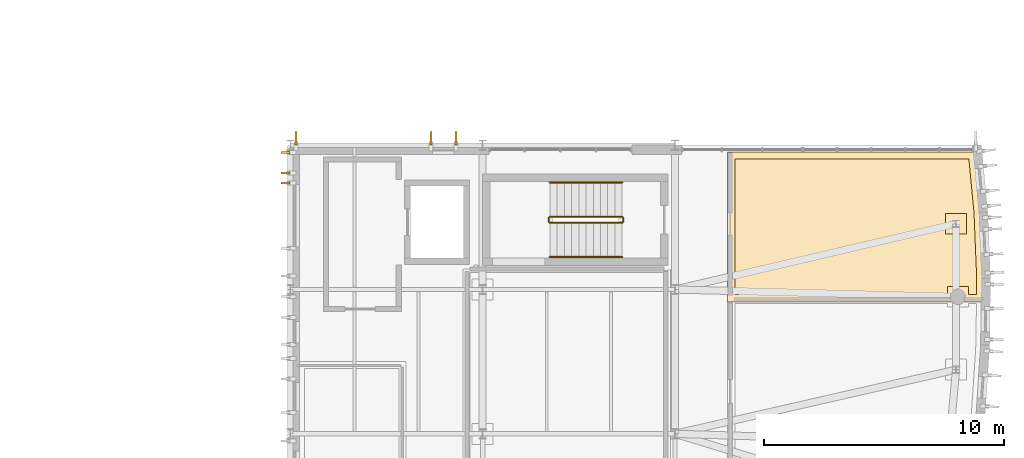
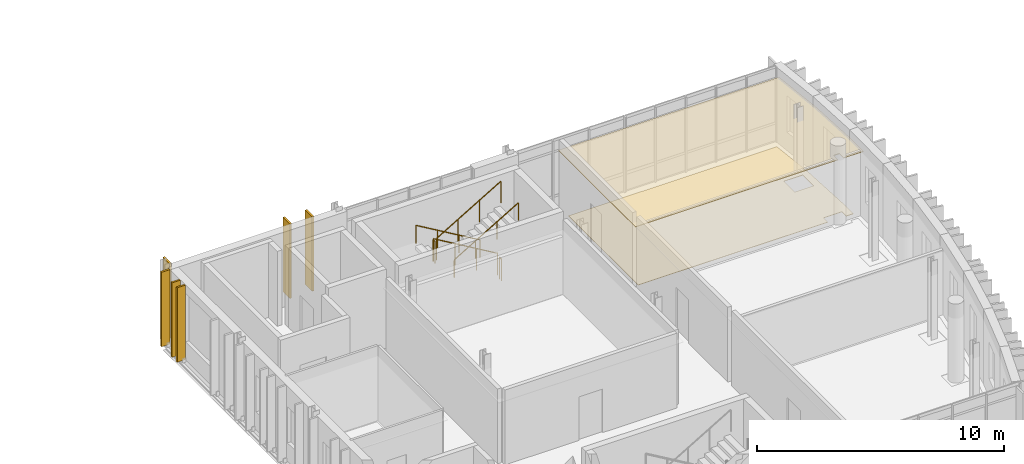
# One storey, part 27 of 28: 8 coverings, 6 railings.
"""IFC4 building model written with IfcOpenShell, lengths in metres."""

from ifc_helpers import new_model, si_unit, direction, frame, origin, origin_2d, place, context, subcontext, project, spatial, polyline, rectangle, circle, outline, extrude, material, layer, layer_set, type_object, element, save


model = new_model("IFC4")

# Units and contexts
model_context = context("Model", 3, precision=1e-05, world=origin(), true_north=direction((0.0, 1.0)))
body_context = subcontext(model_context, "Body", "Model", "MODEL_VIEW")
ifc_project = project(units=[si_unit("LENGTHUNIT", "METRE"), si_unit("AREAUNIT", "SQUARE_METRE"), si_unit("VOLUMEUNIT", "CUBIC_METRE"), si_unit("PLANEANGLEUNIT", "RADIAN"), si_unit("MASSUNIT", "GRAM", prefix="KILO")], contexts=[model_context])

# Site, building, storey
site_placement = place(None, origin())
site = spatial("IfcSite", under=ifc_project, at=site_placement, CompositionType="ELEMENT")
building_placement = place(site_placement, origin())
building = spatial("IfcBuilding", under=site, at=building_placement, Name="Cymarion Research Institute", CompositionType="ELEMENT")
storey_placement = place(building_placement, frame((0.0, 0.0, 30.60009765625)))
storey = spatial("IfcBuildingStorey", under=building, at=storey_placement, Name="L07", CompositionType="ELEMENT", Elevation=30.60009765625)

# Coverings
ifc_material_1 = material(Name="Micro-perforated mineral acoustic ceiling tile", Category="gypsum")
ifc_layer_1 = layer(ifc_material_1, 0.030029296875)
ifc_layer_set_1 = layer_set([ifc_layer_1], Name="Micro-perforated mineral acoustic ceiling tile")
covering_type_1 = type_object("IfcCoveringType", Name="ACOUSTIC MICRO-PERFORATED SUSPENDED CEILING CLG-01", PredefinedType="CEILING", material=ifc_layer_set_1)
covering_1_placement = place(storey_placement, frame((0.0, 0.0, 3.14990234375)))
element("IfcCovering", 1, at=covering_1_placement, inside=storey, type_object=covering_type_1, Name="L07 L07 Tower Staff Restrooms and Accessible Washroom acoustic ceiling", PredefinedType="CEILING", context=body_context, shape_type="SweptSolid", body=[
    extrude(outline(polyline([(167.44580078125, 23.952392578125), (167.43408203125, 22.985107421875), (166.511474609375, 22.985107421875), (166.511474609375, 23.3349609375), (166.241455078125, 23.3349609375), (166.241455078125, 22.985107421875), (156.784912109375, 22.985107421875), (156.784912109375, 29.22509765625), (167.093505859375, 29.22509765625), (167.331787109375, 26.714599609375), (167.44580078125, 23.952392578125)])), origin(), (0.0, 0.0, 1.0), 0.030029296875),
])
ifc_material_2 = material(Name="Precast concrete C45/55 architectural white", Category="concrete")
ifc_layer_2 = layer(ifc_material_2, 0.090087890625)
ifc_layer_set_2 = layer_set([ifc_layer_2], Name="Precast concrete C45/55 architectural white")
covering_type_2 = type_object("IfcCoveringType", Name="ARCHITECTURAL WHITE PRECAST CONCRETE VERTICAL FIN FIN1 560MM", PredefinedType="CLADDING", material=ifc_layer_set_2)
for number, where, z_axis, x_axis, name in (
    (2, (145.489013671875, 29.781982421875, 0.009765625), (0.0, 0.0, 1.0), (0.0, 1.0, 0.0), "L07 V1 white precast vertical fin FIN1 #706"),
    (3, (144.448974609375, 29.781982421875, 0.009765625), (0.0, 0.0, 1.0), (0.0, 1.0, 0.0), "L07 V1 white precast vertical fin FIN1 #707"),
    (4, (138.840087890625, 29.781982421875, 0.009765625), (0.0, 0.0, 1.0), (0.0, 1.0, 0.0), "L07 V1 white precast vertical fin FIN1 #708"),
):
    element("IfcCovering", number, at=place(storey_placement, frame(where, z_axis=z_axis, x_axis=x_axis)), inside=storey, type_object=covering_type_2, Name=name, PredefinedType="CLADDING", context=body_context, shape_type="SweptSolid", body=[
        extrude(rectangle(XDim=0.56005859375, YDim=0.090087890625, at=origin_2d()), origin(), (0.0, 0.0, 1.0), 3.679931640625),
    ])
ifc_layer_3 = layer(ifc_material_2, 0.0849609375)
ifc_layer_set_3 = layer_set([ifc_layer_3], Name="Precast concrete C45/55 architectural white")
covering_type_3 = type_object("IfcCoveringType", Name="ARCHITECTURAL WHITE PRECAST CONCRETE VERTICAL FIN FIN3 380MM", PredefinedType="CLADDING", material=ifc_layer_set_3)
for number, where, z_axis, x_axis, name in (
    (5, (138.407958984375, 29.199951171875, 0.009765625), (0.0, 0.0, 1.0), (-1.0, 0.0, 0.0), "L07 V1 white precast vertical fin FIN3 #709"),
    (6, (138.407958984375, 28.343017578125, 0.009765625), (0.0, 0.0, 1.0), (-1.0, 0.0, 0.0), "L07 V1 white precast vertical fin FIN3 #710"),
    (7, (138.407958984375, 27.93408203125, 0.009765625), (0.0, 0.0, 1.0), (-1.0, 0.0, 0.0), "L07 V1 white precast vertical fin FIN3 #711"),
):
    element("IfcCovering", number, at=place(storey_placement, frame(where, z_axis=z_axis, x_axis=x_axis)), inside=storey, type_object=covering_type_3, Name=name, PredefinedType="CLADDING", context=body_context, shape_type="SweptSolid", body=[
        extrude(rectangle(XDim=0.3798828125, YDim=0.0849609375, at=origin_2d()), origin(), (0.0, 0.0, 1.0), 3.679931640625),
    ])

# Railings
ifc_material_3 = material(Name="Steel S355", Category="steel")
railing_type_1 = type_object("IfcRailingType", Name="PAINTED STEEL STAIR GUARDRAIL GR1 1100MM", PredefinedType="GUARDRAIL", material=ifc_material_3)
railing_1_placement = place(storey_placement, frame((152.39990234375, 26.530029296875, 0.17724609375)))
element("IfcRailing", 8, at=railing_1_placement, inside=storey, type_object=railing_type_1, Name="L07 ST2 stair guard 1", PredefinedType="GUARDRAIL", context=body_context, shape_type="SweptSolid", body=[
    extrude(circle(Radius=0.02392578125, at=origin_2d()), frame((0.0, 0.0, 1.076171875), z_axis=(-0.86092931783, 0.0, 0.508724591208), x_axis=(0.0, -1.0, 0.0)), (0.0, 0.0, 1.0), 3.484619140625),
    extrude(circle(Radius=0.02099609375, at=origin_2d()), origin(), (0.0, 0.0, 1.0), 1.052001953125),
    extrude(circle(Radius=0.02099609375, at=origin_2d()), frame((-1.0, 0.0, 0.5908203125)), (0.0, 0.0, 1.0), 1.052001953125),
    extrude(circle(Radius=0.02099609375, at=origin_2d()), frame((-2.0, 0.0, 1.181884765625)), (0.0, 0.0, 1.0), 1.052001953125),
    extrude(circle(Radius=0.02099609375, at=origin_2d()), frame((-3.0, 0.0, 1.772705078125)), (0.0, 0.0, 1.0), 1.052001953125),
])
railing_2_placement = place(storey_placement, frame((149.35009765625, 26.47998046875, 1.949951171875)))
element("IfcRailing", 9, at=railing_2_placement, inside=storey, type_object=railing_type_1, Name="L07 ST2 stair guard 2", PredefinedType="GUARDRAIL", context=body_context, shape_type="SweptSolid", body=[
    extrude(circle(Radius=0.02392578125, at=origin_2d()), frame((0.0, 0.0, 1.076171875), z_axis=(0.0, -1.0, 0.0), x_axis=(1.0, 0.0, 0.0)), (0.0, 0.0, 1.0), 0.159912109375),
    extrude(circle(Radius=0.02099609375, at=origin_2d()), origin(), (0.0, 0.0, 1.0), 1.052001953125),
    extrude(circle(Radius=0.02099609375, at=origin_2d()), frame((0.0, -0.159912109375, 0.0)), (0.0, 0.0, 1.0), 1.052001953125),
])
railing_3_placement = place(storey_placement, frame((149.39990234375, 26.27001953125, 2.127197265625)))
element("IfcRailing", 10, at=railing_3_placement, inside=storey, type_object=railing_type_1, Name="L07 ST2 stair guard 3", PredefinedType="GUARDRAIL", context=body_context, shape_type="SweptSolid", body=[
    extrude(circle(Radius=0.02392578125, at=origin_2d()), frame((0.0, 0.0, 1.076171875), z_axis=(0.86092931783, 0.0, 0.508724591208), x_axis=(0.0, 1.0, 0.0)), (0.0, 0.0, 1.0), 3.484619140625),
    extrude(circle(Radius=0.02099609375, at=origin_2d()), origin(), (0.0, 0.0, 1.0), 1.052001953125),
    extrude(circle(Radius=0.02099609375, at=origin_2d()), frame((1.0, 0.0, 0.5908203125)), (0.0, 0.0, 1.0), 1.052001953125),
    extrude(circle(Radius=0.02099609375, at=origin_2d()), frame((2.0, 0.0, 1.181884765625)), (0.0, 0.0, 1.0), 1.052001953125),
    extrude(circle(Radius=0.02099609375, at=origin_2d()), frame((3.0, 0.0, 1.772705078125)), (0.0, 0.0, 1.0), 1.052001953125),
])
railing_4_placement = place(storey_placement, frame((152.449951171875, 26.47998046875, 0.0)))
element("IfcRailing", 11, at=railing_4_placement, inside=storey, type_object=railing_type_1, Name="L07 ST2 stair guard 4", PredefinedType="GUARDRAIL", context=body_context, shape_type="SweptSolid", body=[
    extrude(circle(Radius=0.02392578125, at=origin_2d()), frame((0.0, 0.0, 1.076171875), z_axis=(0.0, -1.0, 0.0), x_axis=(1.0, 0.0, 0.0)), (0.0, 0.0, 1.0), 0.159912109375),
    extrude(circle(Radius=0.02099609375, at=origin_2d()), origin(), (0.0, 0.0, 1.0), 1.052001953125),
    extrude(circle(Radius=0.02099609375, at=origin_2d()), frame((0.0, -0.159912109375, 0.0)), (0.0, 0.0, 1.0), 1.052001953125),
])

# Covering
ifc_material_4 = material(Name="Seamless dissipative epoxy resin flooring", Category="resin")
ifc_layer_4 = layer(ifc_material_4, 0.02001953125)
ifc_layer_set_4 = layer_set([ifc_layer_4], Name="Seamless dissipative epoxy resin flooring")
covering_type_4 = type_object("IfcCoveringType", Name="SEAMLESS ESD EPOXY LABORATORY FLOORING FLR-01", PredefinedType="FLOORING", material=ifc_layer_set_4)
covering_2_placement = place(storey_placement, origin())
element("IfcCovering", 12, at=covering_2_placement, inside=storey, type_object=covering_type_4, Name="L07 L07 Tower Staff Restrooms and Accessible Washroom ESD epoxy flooring", PredefinedType="FLOORING", context=body_context, shape_type="SweptSolid", body=[
    extrude(outline(polyline([(167.032470703125, 26.694091796875), (167.14599609375, 23.947998046875), (167.1376953125, 23.284912109375), (166.8115234375, 23.284912109375), (166.8115234375, 23.635009765625), (165.94140625, 23.635009765625), (165.94140625, 23.284912109375), (157.0849609375, 23.284912109375), (157.0849609375, 28.925048828125), (166.820556640625, 28.925048828125), (167.032470703125, 26.694091796875)]), holes=[polyline([(165.8505859375, 25.799072265625), (166.720458984375, 25.799072265625), (166.720458984375, 26.6689453125), (165.8505859375, 26.6689453125), (165.8505859375, 25.799072265625)])]), origin(), (0.0, 0.0, 1.0), 0.02001953125),
])

# Railings
railing_type_2 = type_object("IfcRailingType", Name="STAINLESS STEEL STAIR HANDRAIL HR1 900MM", PredefinedType="HANDRAIL", material=ifc_material_3)
railing_5_placement = place(storey_placement, frame((152.39990234375, 27.949951171875, 0.17724609375)))
element("IfcRailing", 13, at=railing_5_placement, inside=storey, type_object=railing_type_2, Name="L07 ST2 stair handrail 1", PredefinedType="HANDRAIL", context=body_context, shape_type="SweptSolid", body=[
    extrude(circle(Radius=0.02392578125, at=origin_2d()), frame((0.0, 0.0, 0.8759765625), z_axis=(-0.86092931783, 0.0, 0.508724591208), x_axis=(0.0, -1.0, 0.0)), (0.0, 0.0, 1.0), 3.484619140625),
    extrude(circle(Radius=0.02099609375, at=origin_2d()), origin(), (0.0, 0.0, 1.0), 0.851806640625),
    extrude(circle(Radius=0.02099609375, at=origin_2d()), frame((-1.0, 0.0, 0.5908203125)), (0.0, 0.0, 1.0), 0.851806640625),
    extrude(circle(Radius=0.02099609375, at=origin_2d()), frame((-2.0, 0.0, 1.181884765625)), (0.0, 0.0, 1.0), 0.851806640625),
    extrude(circle(Radius=0.02099609375, at=origin_2d()), frame((-3.0, 0.0, 1.772705078125)), (0.0, 0.0, 1.0), 0.851806640625),
])
railing_6_placement = place(storey_placement, frame((149.39990234375, 24.85009765625, 2.127197265625)))
element("IfcRailing", 14, at=railing_6_placement, inside=storey, type_object=railing_type_2, Name="L07 ST2 stair handrail 2", PredefinedType="HANDRAIL", context=body_context, shape_type="SweptSolid", body=[
    extrude(circle(Radius=0.02392578125, at=origin_2d()), frame((0.0, 0.0, 0.8759765625), z_axis=(0.86092931783, 0.0, 0.508724591208), x_axis=(0.0, 1.0, 0.0)), (0.0, 0.0, 1.0), 3.484619140625),
    extrude(circle(Radius=0.02099609375, at=origin_2d()), origin(), (0.0, 0.0, 1.0), 0.851806640625),
    extrude(circle(Radius=0.02099609375, at=origin_2d()), frame((1.0, 0.0, 0.5908203125)), (0.0, 0.0, 1.0), 0.851806640625),
    extrude(circle(Radius=0.02099609375, at=origin_2d()), frame((2.0, 0.0, 1.181884765625)), (0.0, 0.0, 1.0), 0.851806640625),
    extrude(circle(Radius=0.02099609375, at=origin_2d()), frame((3.0, 0.0, 1.772705078125)), (0.0, 0.0, 1.0), 0.851806640625),
])

save(model, "model.ifc")
